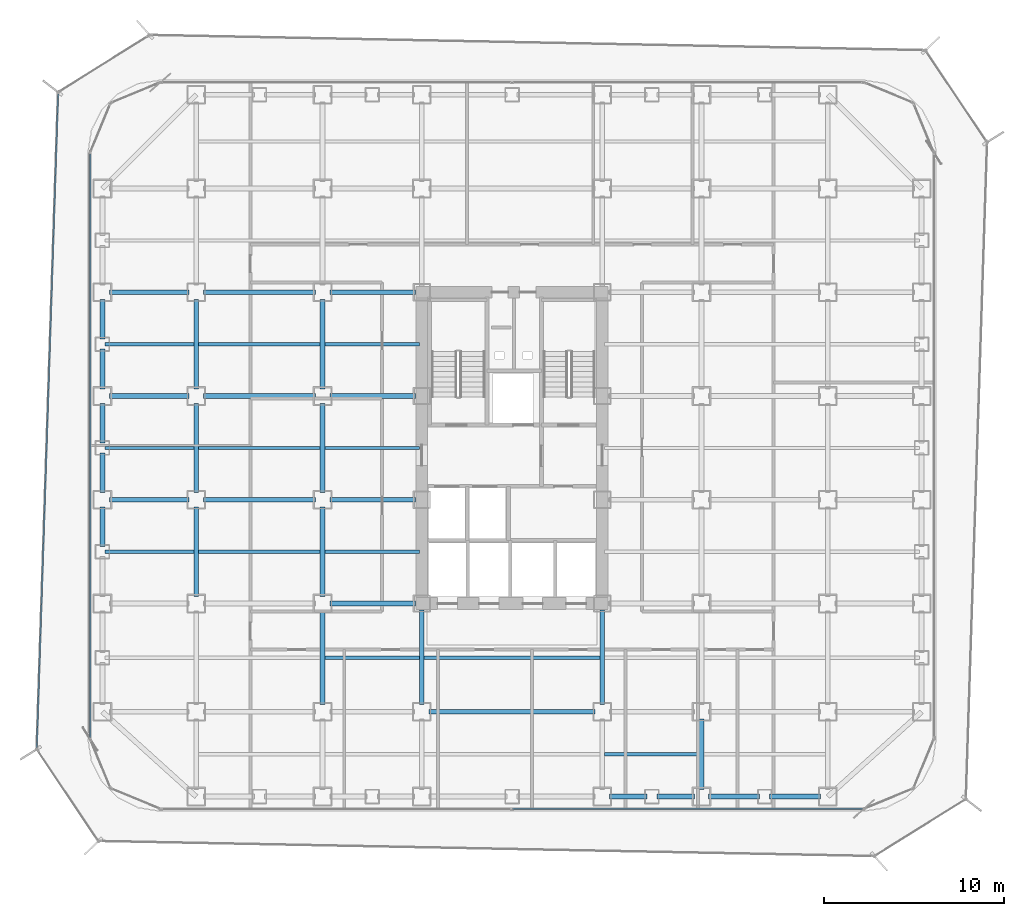
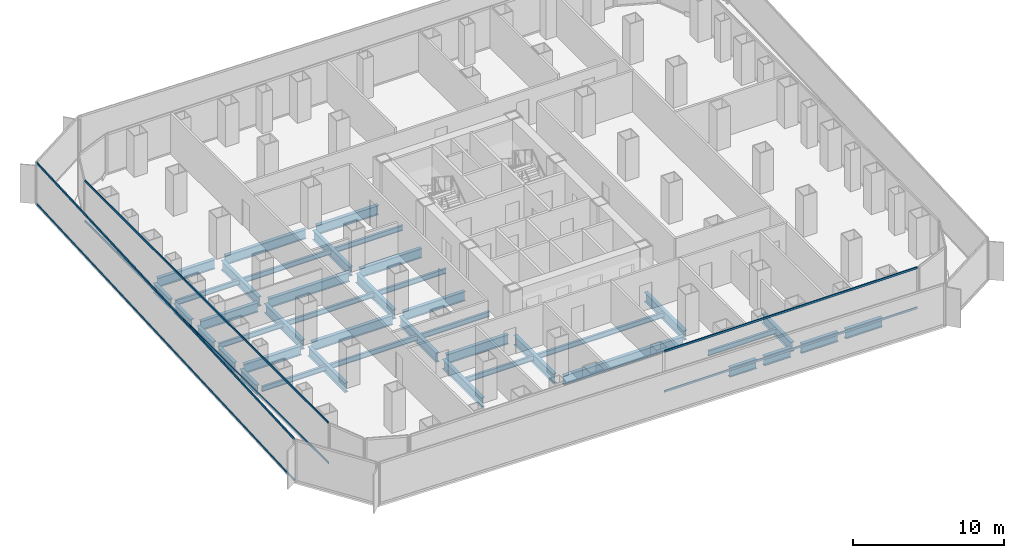
# One storey, part 5 of 22: 42 beams, 6 members, 3 elements without a shape of their own.
"""IFC4 building model written with IfcOpenShell, lengths in metres."""

import ifcopenshell
import ifcopenshell.guid

model = None  # the IFC model being written
_history = None  # IfcOwnerHistory: only IFC2X3 demands one
_inside = {}  # id of a spatial element -> (the spatial element, [elements in it])
_under = {}  # id of a project, library or spatial element -> (it, [spatial elements below it])
_declared = {}  # id of a project -> (the project, [libraries it declares])
_typed = {}  # id of a type object -> (the type object, [elements of that type])
_made_of = {}  # id of a material, layer set ... -> (it, [elements and type objects made of it])


def new_model(schema):
    """Start an empty IFC model of exactly this schema.

    Asked for "IFC4X3", IfcOpenShell would pick the latest addendum, in which some entities
    have other attributes; the version numbers below select the first issue.
    IFC2X3 requires an IfcOwnerHistory on every rooted entity: one is made here for all.
    """
    global model, _history
    if schema == "IFC4X3":
        model = ifcopenshell.file(schema_version=(4, 3, 0, 0))
    else:
        model = ifcopenshell.file(schema=schema)
    _inside.clear()
    _under.clear()
    _declared.clear()
    _typed.clear()
    _made_of.clear()
    _history = None
    if model.schema == "IFC2X3":
        org = make("IfcOrganization", Name="unknown")
        user = make(
            "IfcPersonAndOrganization",
            ThePerson=make("IfcPerson", FamilyName="unknown"),
            TheOrganization=org,
        )
        app = make(
            "IfcApplication",
            ApplicationDeveloper=org,
            Version="unknown",
            ApplicationFullName="unknown",
            ApplicationIdentifier="unknown",
        )
        _history = make(
            "IfcOwnerHistory",
            OwningUser=user,
            OwningApplication=app,
            ChangeAction="ADDED",
            CreationDate=0,
        )
    return model


def make(cls, **values):
    """One entity of the class cls with the attributes given. An attribute that is None is left unset."""
    return model.create_entity(
        cls, **{name: value for name, value in values.items() if value is not None}
    )


def rooted(cls, **values):
    """An entity with a GlobalId (a new one), such as an element, a storey or a relation."""
    return make(cls, GlobalId=ifcopenshell.guid.new(), OwnerHistory=_history, **values)


def si_unit(unit_type, name, prefix=None):
    """IfcSIUnit, for example si_unit("LENGTHUNIT", "METRE", prefix="MILLI")."""
    return make("IfcSIUnit", UnitType=unit_type, Prefix=prefix, Name=name)


def assignment(units):
    """IfcUnitAssignment: the units of a project."""
    return None if units is None else make("IfcUnitAssignment", Units=units)


def point(xyz):
    """IfcCartesianPoint."""
    return None if xyz is None else make("IfcCartesianPoint", Coordinates=xyz)


def direction(xyz):
    """IfcDirection."""
    return None if xyz is None else make("IfcDirection", DirectionRatios=xyz)


def frame(location, z_axis=None, x_axis=None):
    """IfcAxis2Placement3D, a coordinate frame: its origin and axes. An axis left out is left unset."""
    return make(
        "IfcAxis2Placement3D",
        Location=point(location),
        Axis=direction(z_axis),
        RefDirection=direction(x_axis),
    )


def frame_2d(location, x_axis=None):
    """IfcAxis2Placement2D, a coordinate frame in the plane: its origin and x axis."""
    return make(
        "IfcAxis2Placement2D", Location=point(location), RefDirection=direction(x_axis)
    )


def origin():
    """The frame at (0, 0, 0) with its axes left unset."""
    return frame((0.0, 0.0, 0.0))


def origin_2d():
    """The frame at (0, 0) in the plane with its x axis left unset."""
    return frame_2d((0.0, 0.0))


def place(relative_to, where):
    """IfcLocalPlacement: puts the frame where relative to a parent placement (None: the world)."""
    return make(
        "IfcLocalPlacement", PlacementRelTo=relative_to, RelativePlacement=where
    )


def context(
    kind, dimensions, precision=None, world=None, true_north=None, identifier=None
):
    """IfcGeometricRepresentationContext, for example the 3D "Model" context."""
    return make(
        "IfcGeometricRepresentationContext",
        ContextIdentifier=identifier,
        ContextType=kind,
        CoordinateSpaceDimension=dimensions,
        Precision=precision,
        WorldCoordinateSystem=world,
        TrueNorth=true_north,
    )


def subcontext(parent, identifier, kind, view, scale=None):
    """IfcGeometricRepresentationSubContext, for example "Body" below "Model"."""
    return make(
        "IfcGeometricRepresentationSubContext",
        ContextIdentifier=identifier,
        ContextType=kind,
        ParentContext=parent,
        TargetScale=scale,
        TargetView=view,
    )


def project(units=None, contexts=None):
    """IfcProject with its units and contexts."""
    return rooted(
        "IfcProject",
        Name="project",
        RepresentationContexts=contexts,
        UnitsInContext=assignment(units),
    )


def spatial(cls, under=None, at=None, **own):
    """A site, building, storey or space (cls), placed at a placement, below another one or the project."""
    s = rooted(cls, ObjectPlacement=at, **own)
    if under is not None:
        _under.setdefault(under.id(), (under, []))[1].append(s)
    return s


def profile(cls, at=None, kind="AREA", **sizes):
    """A parametric profile (cls). Its sizes go by their IFC names, for example OverallWidth=200.0."""
    return make(cls, ProfileType=kind, Position=at, **sizes)


def hollow_rectangle(**sizes):
    """IfcRectangleHollowProfileDef."""
    return profile("IfcRectangleHollowProfileDef", **sizes)


def i_section(**sizes):
    """IfcIShapeProfileDef."""
    return profile("IfcIShapeProfileDef", **sizes)


def extrude(swept, where, along, depth):
    """IfcExtrudedAreaSolid: the profile swept, set in the frame where, extruded along a direction by depth."""
    return make(
        "IfcExtrudedAreaSolid",
        SweptArea=swept,
        Position=where,
        ExtrudedDirection=direction(along),
        Depth=depth,
    )


def shape(context_of_items, identifier, shape_type, items):
    """IfcShapeRepresentation: the items that make up one representation, for example the "Body"."""
    return make(
        "IfcShapeRepresentation",
        ContextOfItems=context_of_items,
        RepresentationIdentifier=identifier,
        RepresentationType=shape_type,
        Items=items,
    )


def source(mapping_origin, context_of_items, identifier, shape_type, items):
    """IfcRepresentationMap: a shape defined once, which mapped items show again and again."""
    return make(
        "IfcRepresentationMap",
        MappingOrigin=mapping_origin,
        MappedRepresentation=shape(context_of_items, identifier, shape_type, items),
    )


def transform(
    local_origin,
    x_axis=None,
    y_axis=None,
    z_axis=None,
    scale=None,
    scale2=None,
    scale3=None,
    uniform=True,
):
    """IfcCartesianTransformationOperator3D, or its non-uniform kind. x_axis, y_axis, z_axis: its Axis1, 2, 3."""
    if uniform:
        return make(
            "IfcCartesianTransformationOperator3D",
            Axis1=direction(x_axis),
            Axis2=direction(y_axis),
            LocalOrigin=point(local_origin),
            Scale=scale,
            Axis3=direction(z_axis),
        )
    return make(
        "IfcCartesianTransformationOperator3DnonUniform",
        Axis1=direction(x_axis),
        Axis2=direction(y_axis),
        LocalOrigin=point(local_origin),
        Scale=scale,
        Axis3=direction(z_axis),
        Scale2=scale2,
        Scale3=scale3,
    )


def mapped(mapping_source, mapping_target):
    """IfcMappedItem: shows the shape of a source again, moved by a transform."""
    return make(
        "IfcMappedItem", MappingSource=mapping_source, MappingTarget=mapping_target
    )


def material(Name=None, Category=None):
    """IfcMaterial."""
    return make("IfcMaterial", Name=Name, Category=Category)


def layer(
    of_material, thickness, ventilated=None, Name=None, Category=None, Priority=None
):
    """IfcMaterialLayer: one layer of a wall or slab, of a material (None: an air gap)."""
    return make(
        "IfcMaterialLayer",
        Material=of_material,
        LayerThickness=thickness,
        IsVentilated=ventilated,
        Name=Name,
        Category=Category,
        Priority=Priority,
    )


def layer_set(layers, Name=None):
    """IfcMaterialLayerSet."""
    return make("IfcMaterialLayerSet", MaterialLayers=layers, LayerSetName=Name)


def material_profile(
    of_material, cross_section, Name=None, Category=None, Priority=None
):
    """IfcMaterialProfile: a cross section and its material."""
    return make(
        "IfcMaterialProfile",
        Name=Name,
        Material=of_material,
        Profile=cross_section,
        Priority=Priority,
        Category=Category,
    )


def profile_set(profiles, Name=None, composite=None):
    """IfcMaterialProfileSet."""
    return make(
        "IfcMaterialProfileSet",
        Name=Name,
        MaterialProfiles=profiles,
        CompositeProfile=composite,
    )


def made_of(thing, what):
    """Note that an element or type object is made of a material, layer set ...; save() writes the relation."""
    if what is not None:
        _made_of.setdefault(what.id(), (what, []))[1].append(thing)
    return thing


def type_object(cls, material=None, **own):
    """A type object (cls), such as IfcWallType, which elements share."""
    return made_of(rooted(cls, **own), material)


def element(
    cls,
    number,
    at=None,
    inside=None,
    cuts=None,
    type_object=None,
    material=None,
    context=None,
    identifier="Body",
    shape_type=None,
    held_by="IfcProductDefinitionShape",
    body=None,
    shapes=None,
    **own,
):
    """One element of the class cls, such as IfcWall. Its Tag is "e" and its number.

    at: its placement. inside: the storey or other place that contains it. cuts: it is an
    opening in that element (IfcRelVoidsElement). A single representation is given by context,
    identifier, shape_type and body (its items); several are given by shapes. held_by: the class
    of the entity that holds the representations. save() writes the other relations.
    """
    e = rooted(cls, Tag="e%d" % number, ObjectPlacement=at, **own)
    if body is not None:
        shapes = [shape(context, identifier, shape_type, body)]
    if shapes is not None:
        e.Representation = make(held_by, Representations=shapes)
    if inside is not None:
        _inside.setdefault(inside.id(), (inside, []))[1].append(e)
    if cuts is not None:
        rooted(
            "IfcRelVoidsElement", RelatingBuildingElement=cuts, RelatedOpeningElement=e
        )
    if type_object is not None:
        _typed.setdefault(type_object.id(), (type_object, []))[1].append(e)
    return made_of(e, material)


def aggregate(whole, parts):
    """IfcRelAggregates: a whole, such as a stair, and the parts it consists of."""
    return rooted("IfcRelAggregates", RelatingObject=whole, RelatedObjects=parts)


def save(model, path):
    """Write the relations noted so far, then the file.

    IfcRelAggregates (storeys below a building ...), IfcRelContainedInSpatialStructure (elements
    in a storey), IfcRelDefinesByType, IfcRelAssociatesMaterial and IfcRelDeclares: one each for
    every whole, place, type object, material and project.
    """
    for whole, parts in _under.values():
        aggregate(whole, parts)
    for where, things in _inside.values():
        rooted(
            "IfcRelContainedInSpatialStructure",
            RelatedElements=things,
            RelatingStructure=where,
        )
    for kind, things in _typed.values():
        rooted("IfcRelDefinesByType", RelatedObjects=things, RelatingType=kind)
    for what, things in _made_of.values():
        rooted("IfcRelAssociatesMaterial", RelatedObjects=things, RelatingMaterial=what)
    for by, libraries in _declared.values():
        rooted("IfcRelDeclares", RelatingContext=by, RelatedDefinitions=libraries)
    model.write(path)


model = new_model("IFC4")

# Units and contexts
model_context = context("Model", 3, precision=1e-05, world=origin(), true_north=direction((0.0, 1.0)))
body_context = subcontext(model_context, "Body", "Model", "MODEL_VIEW")
ifc_project = project(units=[si_unit("LENGTHUNIT", "METRE"), si_unit("AREAUNIT", "SQUARE_METRE"), si_unit("VOLUMEUNIT", "CUBIC_METRE"), si_unit("PLANEANGLEUNIT", "RADIAN"), si_unit("MASSUNIT", "GRAM", prefix="KILO")], contexts=[model_context])

# Site, building, storey
site_placement = place(None, origin())
site = spatial("IfcSite", under=ifc_project, at=site_placement, CompositionType="ELEMENT")
building_placement = place(site_placement, origin())
building = spatial("IfcBuilding", under=site, at=building_placement, Name="Kolveth Station Tower", CompositionType="ELEMENT")
storey_placement = place(building_placement, frame((0.0, 0.0, 51.300048828125)))
storey = spatial("IfcBuildingStorey", under=building, at=storey_placement, Name="L13", CompositionType="ELEMENT", Elevation=51.300048828125)

# Beams
ifc_material_1 = material(Name="Steel S355", Category="steel")
ifc_material_profile_1 = material_profile(ifc_material_1, i_section(OverallWidth=0.26904296875, OverallDepth=0.77490234375, WebThickness=0.01708984375, FlangeThickness=0.0283203125, at=origin_2d()), Name="W760x220")
ifc_profile_set_1 = profile_set([ifc_material_profile_1], Name="Steel S355")
beam_type_1 = type_object("IfcBeamType", Name="Beam_SP1", PredefinedType="SPANDREL", material=ifc_profile_set_1)
shared_shape_1 = source(origin(), body_context, "Body", "SweptSolid", [
    extrude(i_section(OverallWidth=0.26904296875, OverallDepth=0.77490234375, WebThickness=0.01708984375, FlangeThickness=0.0283203125, at=origin_2d()), origin(), (0.0, 0.0, 1.0), 2.820068359375),
])
for number, where, z_axis, x_axis, name in (
    (1, (34.39990234375, 0.800048828125, -0.66748046875), (1.0, 0.0, 0.0), (0.0, 1.0, 0.0), "L13 Perimeter Spandrel BM-L13-PS-9"),
    (2, (37.780029296875, 0.800048828125, -0.66748046875), (1.0, 0.0, 0.0), (0.0, 1.0, 0.0), "L13 Perimeter Spandrel BM-L13-PS-10"),
):
    element("IfcBeam", number, at=place(storey_placement, frame(where, z_axis=z_axis, x_axis=x_axis)), inside=storey, type_object=beam_type_1, Name=name, PredefinedType="SPANDREL", context=body_context, shape_type="MappedRepresentation", body=[
        mapped(shared_shape_1, transform((0.0, 0.0, 0.0), x_axis=(1.0, 0.0, 0.0), y_axis=(0.0, 1.0, 0.0), z_axis=(0.0, 0.0, 1.0), scale=1.0)),
    ])
shared_shape_2 = source(origin(), body_context, "Body", "SweptSolid", [
    extrude(i_section(OverallWidth=0.26904296875, OverallDepth=0.77490234375, WebThickness=0.01708984375, FlangeThickness=0.0283203125, at=origin_2d()), origin(), (0.0, 0.0, 1.0), 2.070068359375),
])
for number, where, z_axis, x_axis, name in (
    (3, (28.89990234375, 0.800048828125, -0.66748046875), (1.0, 0.0, 0.0), (0.0, 1.0, 0.0), "L13 Perimeter Spandrel BM-L13-PS-7"),
    (4, (31.530029296875, 0.800048828125, -0.66748046875), (1.0, 0.0, 0.0), (0.0, 1.0, 0.0), "L13 Perimeter Spandrel BM-L13-PS-8"),
):
    element("IfcBeam", number, at=place(storey_placement, frame(where, z_axis=z_axis, x_axis=x_axis)), inside=storey, type_object=beam_type_1, Name=name, PredefinedType="SPANDREL", context=body_context, shape_type="MappedRepresentation", body=[
        mapped(shared_shape_2, transform((0.0, 0.0, 0.0), x_axis=(1.0, 0.0, 0.0), y_axis=(0.0, 1.0, 0.0), z_axis=(0.0, 0.0, 1.0), scale=1.0)),
    ])
shared_shape_3 = source(origin(), body_context, "Body", "SweptSolid", [
    extrude(i_section(OverallWidth=0.26904296875, OverallDepth=0.77490234375, WebThickness=0.01708984375, FlangeThickness=0.0283203125, at=origin_2d()), origin(), (0.0, 0.0, 1.0), 2.2001953125),
])
for number, where, z_axis, x_axis, name in (
    (5, (0.800048828125, 20.39990234375, -0.66748046875), (0.0, 1.0, 0.0), (-1.0, 0.0, 0.0), "L13 Perimeter Spandrel BM-L13-PW-6"),
    (6, (0.800048828125, 23.39990234375, -0.66748046875), (0.0, 1.0, 0.0), (-1.0, 0.0, 0.0), "L13 Perimeter Spandrel BM-L13-PW-7"),
):
    element("IfcBeam", number, at=place(storey_placement, frame(where, z_axis=z_axis, x_axis=x_axis)), inside=storey, type_object=beam_type_1, Name=name, PredefinedType="SPANDREL", context=body_context, shape_type="MappedRepresentation", body=[
        mapped(shared_shape_3, transform((0.0, 0.0, 0.0), x_axis=(1.0, 0.0, 0.0), y_axis=(0.0, 1.0, 0.0), z_axis=(0.0, 0.0, 1.0), scale=1.0)),
    ])
shared_shape_4 = source(origin(), body_context, "Body", "SweptSolid", [
    extrude(i_section(OverallWidth=0.26904296875, OverallDepth=0.77490234375, WebThickness=0.01708984375, FlangeThickness=0.0283203125, at=origin_2d()), origin(), (0.0, 0.0, 1.0), 2.190185546875),
])
for number, where, z_axis, x_axis, name in (
    (7, (0.800048828125, 14.659912109375, -0.66748046875), (0.0, 1.0, 0.0), (-1.0, 0.0, 0.0), "L13 Perimeter Spandrel BM-L13-PW-4"),
    (8, (0.800048828125, 17.64990234375, -0.66748046875), (0.0, 1.0, 0.0), (-1.0, 0.0, 0.0), "L13 Perimeter Spandrel BM-L13-PW-5"),
    (9, (0.800048828125, 26.159912109375, -0.66748046875), (0.0, 1.0, 0.0), (-1.0, 0.0, 0.0), "L13 Perimeter Spandrel BM-L13-PW-8"),
):
    element("IfcBeam", number, at=place(storey_placement, frame(where, z_axis=z_axis, x_axis=x_axis)), inside=storey, type_object=beam_type_1, Name=name, PredefinedType="SPANDREL", context=body_context, shape_type="MappedRepresentation", body=[
        mapped(shared_shape_4, transform((0.0, 0.0, 0.0), x_axis=(1.0, 0.0, 0.0), y_axis=(0.0, 1.0, 0.0), z_axis=(0.0, 0.0, 1.0), scale=1.0)),
    ])
ifc_material_profile_2 = material_profile(ifc_material_1, i_section(OverallWidth=0.26708984375, OverallDepth=0.76611328125, WebThickness=0.014892578125, FlangeThickness=0.023681640625, at=origin_2d()), Name="W760x185")
ifc_profile_set_2 = profile_set([ifc_material_profile_2], Name="Steel S355")
beam_type_2 = type_object("IfcBeamType", Name="Beam_B3", PredefinedType="BEAM", material=ifc_profile_set_2)
shared_shape_5 = source(origin(), body_context, "Body", "SweptSolid", [
    extrude(i_section(OverallWidth=0.26708984375, OverallDepth=0.76611328125, WebThickness=0.014892578125, FlangeThickness=0.023681640625, at=origin_2d()), origin(), (0.0, 0.0, 1.0), 4.400146484375),
])
for number, where, z_axis, x_axis, name in (
    (10, (1.199951171875, 17.25, -0.6630859375), (1.0, 0.0, 0.0), (0.0, 1.0, 0.0), "L13 Primary Girder BM-L13-GY172-1"),
    (11, (1.199951171875, 23.0, -0.6630859375), (1.0, 0.0, 0.0), (0.0, 1.0, 0.0), "L13 Primary Girder BM-L13-GY230-1"),
    (12, (1.199951171875, 28.75, -0.6630859375), (1.0, 0.0, 0.0), (0.0, 1.0, 0.0), "L13 Primary Girder BM-L13-GY287-1"),
):
    element("IfcBeam", number, at=place(storey_placement, frame(where, z_axis=z_axis, x_axis=x_axis)), inside=storey, type_object=beam_type_2, Name=name, PredefinedType="BEAM", context=body_context, shape_type="MappedRepresentation", body=[
        mapped(shared_shape_5, transform((0.0, 0.0, 0.0), x_axis=(1.0, 0.0, 0.0), y_axis=(0.0, 1.0, 0.0), z_axis=(0.0, 0.0, 1.0), scale=1.0)),
    ])
shared_shape_6 = source(origin(), body_context, "Body", "SweptSolid", [
    extrude(i_section(OverallWidth=0.26708984375, OverallDepth=0.76611328125, WebThickness=0.014892578125, FlangeThickness=0.023681640625, at=origin_2d()), origin(), (0.0, 0.0, 1.0), 6.2001953125),
])
for number, where, z_axis, x_axis, name in (
    (13, (6.39990234375, 17.25, -0.6630859375), (1.0, 0.0, 0.0), (0.0, 1.0, 0.0), "L13 Primary Girder BM-L13-GY172-2"),
    (14, (6.39990234375, 23.0, -0.6630859375), (1.0, 0.0, 0.0), (0.0, 1.0, 0.0), "L13 Primary Girder BM-L13-GY230-2"),
    (15, (6.39990234375, 28.75, -0.6630859375), (1.0, 0.0, 0.0), (0.0, 1.0, 0.0), "L13 Primary Girder BM-L13-GY287-2"),
):
    element("IfcBeam", number, at=place(storey_placement, frame(where, z_axis=z_axis, x_axis=x_axis)), inside=storey, type_object=beam_type_2, Name=name, PredefinedType="BEAM", context=body_context, shape_type="MappedRepresentation", body=[
        mapped(shared_shape_6, transform((0.0, 0.0, 0.0), x_axis=(1.0, 0.0, 0.0), y_axis=(0.0, 1.0, 0.0), z_axis=(0.0, 0.0, 1.0), scale=1.0)),
    ])
shared_shape_7 = source(origin(), body_context, "Body", "SweptSolid", [
    extrude(i_section(OverallWidth=0.26708984375, OverallDepth=0.76611328125, WebThickness=0.014892578125, FlangeThickness=0.023681640625, at=origin_2d()), origin(), (0.0, 0.0, 1.0), 9.2001953125),
])
beam_1_placement = place(storey_placement, frame((18.89990234375, 5.5, -0.6630859375), z_axis=(1.0, 0.0, 0.0), x_axis=(0.0, 1.0, 0.0)))
element("IfcBeam", 16, at=beam_1_placement, inside=storey, type_object=beam_type_2, Name="L13 Primary Girder BM-L13-GY55-4", PredefinedType="BEAM", context=body_context, shape_type="MappedRepresentation", body=[
    mapped(shared_shape_7, transform((0.0, 0.0, 0.0), x_axis=(1.0, 0.0, 0.0), y_axis=(0.0, 1.0, 0.0), z_axis=(0.0, 0.0, 1.0), scale=1.0)),
])
shared_shape_8 = source(origin(), body_context, "Body", "SweptSolid", [
    extrude(i_section(OverallWidth=0.26708984375, OverallDepth=0.76611328125, WebThickness=0.014892578125, FlangeThickness=0.023681640625, at=origin_2d()), origin(), (0.0, 0.0, 1.0), 4.739990234375),
])
for number, where, z_axis, x_axis, name in (
    (17, (13.39990234375, 11.5, -0.6630859375), (1.0, 0.0, 0.0), (0.0, 1.0, 0.0), "L13 Primary Girder BM-L13-GY115-3"),
    (18, (13.39990234375, 17.25, -0.6630859375), (1.0, 0.0, 0.0), (0.0, 1.0, 0.0), "L13 Primary Girder BM-L13-GY172-3"),
    (19, (13.39990234375, 23.0, -0.6630859375), (1.0, 0.0, 0.0), (0.0, 1.0, 0.0), "L13 Primary Girder BM-L13-GY230-3"),
    (20, (13.39990234375, 28.75, -0.6630859375), (1.0, 0.0, 0.0), (0.0, 1.0, 0.0), "L13 Primary Girder BM-L13-GY287-3"),
):
    element("IfcBeam", number, at=place(storey_placement, frame(where, z_axis=z_axis, x_axis=x_axis)), inside=storey, type_object=beam_type_2, Name=name, PredefinedType="BEAM", context=body_context, shape_type="MappedRepresentation", body=[
        mapped(shared_shape_8, transform((0.0, 0.0, 0.0), x_axis=(1.0, 0.0, 0.0), y_axis=(0.0, 1.0, 0.0), z_axis=(0.0, 0.0, 1.0), scale=1.0)),
    ])
shared_shape_9 = source(origin(), body_context, "Body", "SweptSolid", [
    extrude(i_section(OverallWidth=0.26708984375, OverallDepth=0.76611328125, WebThickness=0.014892578125, FlangeThickness=0.023681640625, at=origin_2d()), origin(), (0.0, 0.0, 1.0), 3.900146484375),
])
beam_2_placement = place(storey_placement, frame((34.0, 1.199951171875, -0.6630859375), z_axis=(0.0, 1.0, 0.0), x_axis=(-1.0, 0.0, 0.0)))
element("IfcBeam", 21, at=beam_2_placement, inside=storey, type_object=beam_type_2, Name="L13 Primary Girder BM-L13-GX340-1", PredefinedType="BEAM", context=body_context, shape_type="MappedRepresentation", body=[
    mapped(shared_shape_9, transform((0.0, 0.0, 0.0), x_axis=(1.0, 0.0, 0.0), y_axis=(0.0, 1.0, 0.0), z_axis=(0.0, 0.0, 1.0), scale=1.0)),
])
shared_shape_10 = source(origin(), body_context, "Body", "SweptSolid", [
    extrude(i_section(OverallWidth=0.26708984375, OverallDepth=0.76611328125, WebThickness=0.014892578125, FlangeThickness=0.023681640625, at=origin_2d()), origin(), (0.0, 0.0, 1.0), 5.2001953125),
])
beam_3_placement = place(storey_placement, frame((13.0, 5.89990234375, -0.6630859375), z_axis=(0.0, 1.0, 0.0), x_axis=(-1.0, 0.0, 0.0)))
element("IfcBeam", 22, at=beam_3_placement, inside=storey, type_object=beam_type_2, Name="L13 Primary Girder BM-L13-GX130-2", PredefinedType="BEAM", context=body_context, shape_type="MappedRepresentation", body=[
    mapped(shared_shape_10, transform((0.0, 0.0, 0.0), x_axis=(1.0, 0.0, 0.0), y_axis=(0.0, 1.0, 0.0), z_axis=(0.0, 0.0, 1.0), scale=1.0)),
])
shared_shape_11 = source(origin(), body_context, "Body", "SweptSolid", [
    extrude(i_section(OverallWidth=0.26708984375, OverallDepth=0.76611328125, WebThickness=0.014892578125, FlangeThickness=0.023681640625, at=origin_2d()), origin(), (0.0, 0.0, 1.0), 4.9501953125),
])
for number, where, z_axis, x_axis, name in (
    (23, (6.0, 11.89990234375, -0.6630859375), (0.0, 1.0, 0.0), (-1.0, 0.0, 0.0), "L13 Primary Girder BM-L13-GX60-3"),
    (24, (6.0, 17.64990234375, -0.6630859375), (0.0, 1.0, 0.0), (-1.0, 0.0, 0.0), "L13 Primary Girder BM-L13-GX60-4"),
    (25, (6.0, 23.39990234375, -0.6630859375), (0.0, 1.0, 0.0), (-1.0, 0.0, 0.0), "L13 Primary Girder BM-L13-GX60-5"),
    (26, (13.0, 11.89990234375, -0.6630859375), (0.0, 1.0, 0.0), (-1.0, 0.0, 0.0), "L13 Primary Girder BM-L13-GX130-3"),
    (27, (13.0, 17.64990234375, -0.6630859375), (0.0, 1.0, 0.0), (-1.0, 0.0, 0.0), "L13 Primary Girder BM-L13-GX130-4"),
    (28, (13.0, 23.39990234375, -0.6630859375), (0.0, 1.0, 0.0), (-1.0, 0.0, 0.0), "L13 Primary Girder BM-L13-GX130-5"),
):
    element("IfcBeam", number, at=place(storey_placement, frame(where, z_axis=z_axis, x_axis=x_axis)), inside=storey, type_object=beam_type_2, Name=name, PredefinedType="BEAM", context=body_context, shape_type="MappedRepresentation", body=[
        mapped(shared_shape_11, transform((0.0, 0.0, 0.0), x_axis=(1.0, 0.0, 0.0), y_axis=(0.0, 1.0, 0.0), z_axis=(0.0, 0.0, 1.0), scale=1.0)),
    ])
shared_shape_12 = source(origin(), body_context, "Body", "SweptSolid", [
    extrude(i_section(OverallWidth=0.26708984375, OverallDepth=0.76611328125, WebThickness=0.014892578125, FlangeThickness=0.023681640625, at=origin_2d()), origin(), (0.0, 0.0, 1.0), 5.239990234375),
])
for number, where, z_axis, x_axis, name in (
    (29, (18.5, 5.89990234375, -0.6630859375), (0.0, 1.0, 0.0), (-1.0, 0.0, 0.0), "L13 Primary Girder BM-L13-GX185-2"),
    (30, (28.5, 5.89990234375, -0.6630859375), (0.0, 1.0, 0.0), (-1.0, 0.0, 0.0), "L13 Primary Girder BM-L13-GX285-2"),
):
    element("IfcBeam", number, at=place(storey_placement, frame(where, z_axis=z_axis, x_axis=x_axis)), inside=storey, type_object=beam_type_2, Name=name, PredefinedType="BEAM", context=body_context, shape_type="MappedRepresentation", body=[
        mapped(shared_shape_12, transform((0.0, 0.0, 0.0), x_axis=(1.0, 0.0, 0.0), y_axis=(0.0, 1.0, 0.0), z_axis=(0.0, 0.0, 1.0), scale=1.0)),
    ])
ifc_material_profile_3 = material_profile(ifc_material_1, i_section(OverallWidth=0.177978515625, OverallDepth=0.406982421875, WebThickness=0.0078125, FlangeThickness=0.0126953125, at=origin_2d()), Name="W410x60")
ifc_profile_set_3 = profile_set([ifc_material_profile_3], Name="Steel S355")
beam_type_3 = type_object("IfcBeamType", Name="Beam_J1", PredefinedType="JOIST", material=ifc_profile_set_3)
shared_shape_13 = source(origin(), body_context, "Body", "SweptSolid", [
    extrude(i_section(OverallWidth=0.177978515625, OverallDepth=0.406982421875, WebThickness=0.0078125, FlangeThickness=0.0126953125, at=origin_2d()), origin(), (0.0, 0.0, 1.0), 4.935791015625),
])
for number, where, z_axis, x_axis, name in (
    (31, (0.9326171875, 14.375, -0.483642578125), (1.0, 0.0, 0.0), (0.0, 1.0, 0.0), "L13 Secondary Joist JST-L13-1-3"),
    (32, (0.9326171875, 20.125, -0.483642578125), (1.0, 0.0, 0.0), (0.0, 1.0, 0.0), "L13 Secondary Joist JST-L13-1-4"),
    (33, (0.9326171875, 25.875, -0.483642578125), (1.0, 0.0, 0.0), (0.0, 1.0, 0.0), "L13 Secondary Joist JST-L13-1-5"),
):
    element("IfcBeam", number, at=place(storey_placement, frame(where, z_axis=z_axis, x_axis=x_axis)), inside=storey, type_object=beam_type_3, Name=name, PredefinedType="JOIST", context=body_context, shape_type="MappedRepresentation", body=[
        mapped(shared_shape_13, transform((0.0, 0.0, 0.0), x_axis=(1.0, 0.0, 0.0), y_axis=(0.0, 1.0, 0.0), z_axis=(0.0, 0.0, 1.0), scale=1.0)),
    ])
shared_shape_14 = source(origin(), body_context, "Body", "SweptSolid", [
    extrude(i_section(OverallWidth=0.177978515625, OverallDepth=0.406982421875, WebThickness=0.0078125, FlangeThickness=0.0126953125, at=origin_2d()), origin(), (0.0, 0.0, 1.0), 6.73681640625),
])
for number, where, z_axis, x_axis, name in (
    (34, (6.131591796875, 14.375, -0.483642578125), (1.0, 0.0, 0.0), (0.0, 1.0, 0.0), "L13 Secondary Joist JST-L13-2-3"),
    (35, (6.131591796875, 20.125, -0.483642578125), (1.0, 0.0, 0.0), (0.0, 1.0, 0.0), "L13 Secondary Joist JST-L13-2-4"),
    (36, (6.131591796875, 25.875, -0.483642578125), (1.0, 0.0, 0.0), (0.0, 1.0, 0.0), "L13 Secondary Joist JST-L13-2-5"),
):
    element("IfcBeam", number, at=place(storey_placement, frame(where, z_axis=z_axis, x_axis=x_axis)), inside=storey, type_object=beam_type_3, Name=name, PredefinedType="JOIST", context=body_context, shape_type="MappedRepresentation", body=[
        mapped(shared_shape_14, transform((0.0, 0.0, 0.0), x_axis=(1.0, 0.0, 0.0), y_axis=(0.0, 1.0, 0.0), z_axis=(0.0, 0.0, 1.0), scale=1.0)),
    ])
shared_shape_15 = source(origin(), body_context, "Body", "SweptSolid", [
    extrude(i_section(OverallWidth=0.177978515625, OverallDepth=0.406982421875, WebThickness=0.0078125, FlangeThickness=0.0126953125, at=origin_2d()), origin(), (0.0, 0.0, 1.0), 5.23681640625),
])
for number, where, z_axis, x_axis, name in (
    (37, (13.131591796875, 8.5, -0.483642578125), (1.0, 0.0, 0.0), (0.0, 1.0, 0.0), "L13 Secondary Joist JST-L13-3-2"),
    (38, (13.131591796875, 14.375, -0.483642578125), (1.0, 0.0, 0.0), (0.0, 1.0, 0.0), "L13 Secondary Joist JST-L13-3-3"),
    (39, (13.131591796875, 20.125, -0.483642578125), (1.0, 0.0, 0.0), (0.0, 1.0, 0.0), "L13 Secondary Joist JST-L13-3-4"),
    (40, (13.131591796875, 25.875, -0.483642578125), (1.0, 0.0, 0.0), (0.0, 1.0, 0.0), "L13 Secondary Joist JST-L13-3-5"),
    (41, (28.631591796875, 3.14990234375, -0.483642578125), (1.0, 0.0, 0.0), (0.0, 1.0, 0.0), "L13 Secondary Joist JST-L13-5-1"),
):
    element("IfcBeam", number, at=place(storey_placement, frame(where, z_axis=z_axis, x_axis=x_axis)), inside=storey, type_object=beam_type_3, Name=name, PredefinedType="JOIST", context=body_context, shape_type="MappedRepresentation", body=[
        mapped(shared_shape_15, transform((0.0, 0.0, 0.0), x_axis=(1.0, 0.0, 0.0), y_axis=(0.0, 1.0, 0.0), z_axis=(0.0, 0.0, 1.0), scale=1.0)),
    ])
shared_shape_16 = source(origin(), body_context, "Body", "SweptSolid", [
    extrude(i_section(OverallWidth=0.177978515625, OverallDepth=0.406982421875, WebThickness=0.0078125, FlangeThickness=0.0126953125, at=origin_2d()), origin(), (0.0, 0.0, 1.0), 9.73681640625),
])
beam_4_placement = place(storey_placement, frame((18.631591796875, 8.5, -0.483642578125), z_axis=(1.0, 0.0, 0.0), x_axis=(0.0, 1.0, 0.0)))
element("IfcBeam", 42, at=beam_4_placement, inside=storey, type_object=beam_type_3, Name="L13 Secondary Joist JST-L13-4-2", PredefinedType="JOIST", context=body_context, shape_type="MappedRepresentation", body=[
    mapped(shared_shape_16, transform((0.0, 0.0, 0.0), x_axis=(1.0, 0.0, 0.0), y_axis=(0.0, 1.0, 0.0), z_axis=(0.0, 0.0, 1.0), scale=1.0)),
])

# Curtain wall, members
ifc_material_2 = material(Name="Aluminium 6063-T6 and low-E dark glass", Category="aluminium")
ifc_layer_1 = layer(ifc_material_2, 0.179931640625)
ifc_layer_set_1 = layer_set([ifc_layer_1], Name="Aluminium 6063-T6 and low-E dark glass")
curtain_wall_type_1 = type_object("IfcCurtainWallType", Name="CurtainWall_CW-Z1", PredefinedType="NOTDEFINED", material=ifc_layer_set_1)
curtain_wall_1_placement = place(storey_placement, origin())
curtain_wall_1 = element("IfcCurtainWall", 43, at=curtain_wall_1_placement, inside=storey, type_object=curtain_wall_type_1, Name="L13 Inner Thermal Curtain Wall 9", PredefinedType="NOTDEFINED")
ifc_material_3 = material(Name="Black anodized aluminium 6063-T6", Category="aluminium")
ifc_material_profile_4 = material_profile(ifc_material_3, hollow_rectangle(XDim=0.074951171875, YDim=0.159912109375, WallThickness=0.0048828125, at=origin_2d()), Name="ALU-75x160x5")
ifc_profile_set_4 = profile_set([ifc_material_profile_4], Name="Black anodized aluminium 6063-T6")
member_type_1 = type_object("IfcMemberType", Name="Transom_TR1", PredefinedType="USERDEFINED", material=ifc_profile_set_4)
shared_shape_17 = source(origin(), body_context, "Body", "SweptSolid", [
    extrude(hollow_rectangle(XDim=0.074951171875, YDim=0.159912109375, WallThickness=0.0048828125, at=origin_2d()), origin(), (0.0, 0.0, 1.0), 32.35009765625),
])
member_1_placement = place(storey_placement, frame((0.1201171875, 36.425048828125, 0.037353515625), z_axis=(0.0, -1.0, 0.0), x_axis=(1.0, 0.0, 0.0)))
member_1 = element("IfcMember", 44, at=member_1_placement, type_object=member_type_1, Name="CW-Z1 transom 1.1", ObjectType="TRANSOM", PredefinedType="USERDEFINED", context=body_context, shape_type="MappedRepresentation", body=[
    mapped(shared_shape_17, transform((0.0, 0.0, 0.0), x_axis=(1.0, 0.0, 0.0), y_axis=(0.0, 1.0, 0.0), z_axis=(0.0, 0.0, 1.0), scale=1.0)),
])
member_2_placement = place(storey_placement, frame((0.1201171875, 36.425048828125, 3.282470703125), z_axis=(0.0, -1.0, 0.0), x_axis=(1.0, 0.0, 0.0)))
member_2 = element("IfcMember", 45, at=member_2_placement, type_object=member_type_1, Name="CW-Z1 transom 1.2", ObjectType="TRANSOM", PredefinedType="USERDEFINED", context=body_context, shape_type="MappedRepresentation", body=[
    mapped(shared_shape_17, transform((0.0, 0.0, 0.0), x_axis=(1.0, 0.0, 0.0), y_axis=(0.0, 1.0, 0.0), z_axis=(0.0, 0.0, 1.0), scale=1.0)),
])
aggregate(curtain_wall_1, [member_1, member_2])

curtain_wall_2_placement = place(storey_placement, origin())
curtain_wall_2 = element("IfcCurtainWall", 46, at=curtain_wall_2_placement, inside=storey, type_object=curtain_wall_type_1, Name="L13 Inner Thermal Curtain Wall 12", PredefinedType="NOTDEFINED")
shared_shape_18 = source(origin(), body_context, "Body", "SweptSolid", [
    extrude(hollow_rectangle(XDim=0.074951171875, YDim=0.159912109375, WallThickness=0.0048828125, at=origin_2d()), origin(), (0.0, 0.0, 1.0), 19.387451171875),
])
member_3_placement = place(storey_placement, frame((23.53759765625, 0.1201171875, 0.037353515625), z_axis=(1.0, 0.0, 0.0), x_axis=(0.0, 1.0, 0.0)))
member_3 = element("IfcMember", 47, at=member_3_placement, type_object=member_type_1, Name="CW-Z1 transom 2.1", ObjectType="TRANSOM", PredefinedType="USERDEFINED", context=body_context, shape_type="MappedRepresentation", body=[
    mapped(shared_shape_18, transform((0.0, 0.0, 0.0), x_axis=(1.0, 0.0, 0.0), y_axis=(0.0, 1.0, 0.0), z_axis=(0.0, 0.0, 1.0), scale=1.0)),
])
member_4_placement = place(storey_placement, frame((23.53759765625, 0.1201171875, 3.282470703125), z_axis=(1.0, 0.0, 0.0), x_axis=(0.0, 1.0, 0.0)))
member_4 = element("IfcMember", 48, at=member_4_placement, type_object=member_type_1, Name="CW-Z1 transom 2.2", ObjectType="TRANSOM", PredefinedType="USERDEFINED", context=body_context, shape_type="MappedRepresentation", body=[
    mapped(shared_shape_18, transform((0.0, 0.0, 0.0), x_axis=(1.0, 0.0, 0.0), y_axis=(0.0, 1.0, 0.0), z_axis=(0.0, 0.0, 1.0), scale=1.0)),
])
aggregate(curtain_wall_2, [member_3, member_4])

ifc_material_4 = material(Name="Black anodized aluminium 6063-T6 and dark solar glass", Category="aluminium")
ifc_layer_2 = layer(ifc_material_4, 0.159912109375)
ifc_layer_set_2 = layer_set([ifc_layer_2], Name="Black anodized aluminium 6063-T6 and dark solar glass")
curtain_wall_type_2 = type_object("IfcCurtainWallType", Name="OUTER SKIN CW-OS", PredefinedType="NOTDEFINED", material=ifc_layer_set_2)
curtain_wall_3_placement = place(storey_placement, origin())
curtain_wall_3 = element("IfcCurtainWall", 49, at=curtain_wall_3_placement, inside=storey, type_object=curtain_wall_type_2, Name="L13 Outer Ventilated Skin Curtain Wall 6", PredefinedType="NOTDEFINED")
ifc_material_profile_5 = material_profile(ifc_material_3, hollow_rectangle(XDim=0.080078125, YDim=0.14990234375, WallThickness=0.0048828125, at=origin_2d()), Name="ALU-80x150x5")
ifc_profile_set_5 = profile_set([ifc_material_profile_5], Name="Black anodized aluminium 6063-T6")
member_type_2 = type_object("IfcMemberType", Name="Transom_TR-OS", PredefinedType="USERDEFINED", material=ifc_profile_set_5)
shared_shape_19 = source(origin(), body_context, "Body", "SweptSolid", [
    extrude(hollow_rectangle(XDim=0.080078125, YDim=0.14990234375, WallThickness=0.0048828125, at=origin_2d()), origin(), (0.0, 0.0, 1.0), 36.24072265625),
])
member_5_placement = place(storey_placement, frame((-1.655517578125, 39.7451171875, 0.0400390625), z_axis=(-0.032605343606, -0.999468304434, 0.0), x_axis=(0.999468304434, -0.032605343606, 0.0)))
member_5 = element("IfcMember", 50, at=member_5_placement, type_object=member_type_2, Name="CW-OS transom 1.1", ObjectType="TRANSOM", PredefinedType="USERDEFINED", context=body_context, shape_type="MappedRepresentation", body=[
    mapped(shared_shape_19, transform((0.0, 0.0, 0.0), x_axis=(1.0, 0.0, 0.0), y_axis=(0.0, 1.0, 0.0), z_axis=(0.0, 0.0, 1.0), scale=1.0)),
])
member_6_placement = place(storey_placement, frame((-1.655517578125, 39.7451171875, 3.349853515625), z_axis=(-0.032605343606, -0.999468304434, 0.0), x_axis=(0.999468304434, -0.032605343606, 0.0)))
member_6 = element("IfcMember", 51, at=member_6_placement, type_object=member_type_2, Name="CW-OS transom 1.2", ObjectType="TRANSOM", PredefinedType="USERDEFINED", context=body_context, shape_type="MappedRepresentation", body=[
    mapped(shared_shape_19, transform((0.0, 0.0, 0.0), x_axis=(1.0, 0.0, 0.0), y_axis=(0.0, 1.0, 0.0), z_axis=(0.0, 0.0, 1.0), scale=1.0)),
])
aggregate(curtain_wall_3, [member_5, member_6])

save(model, "model.ifc")
